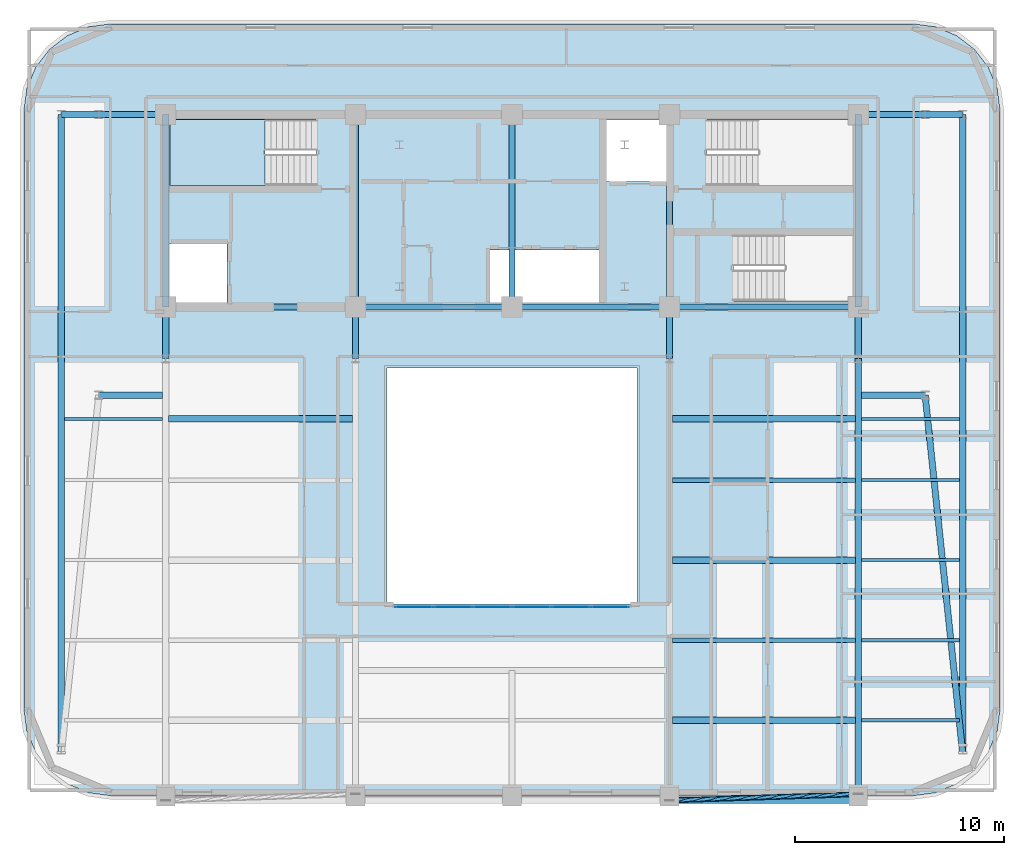
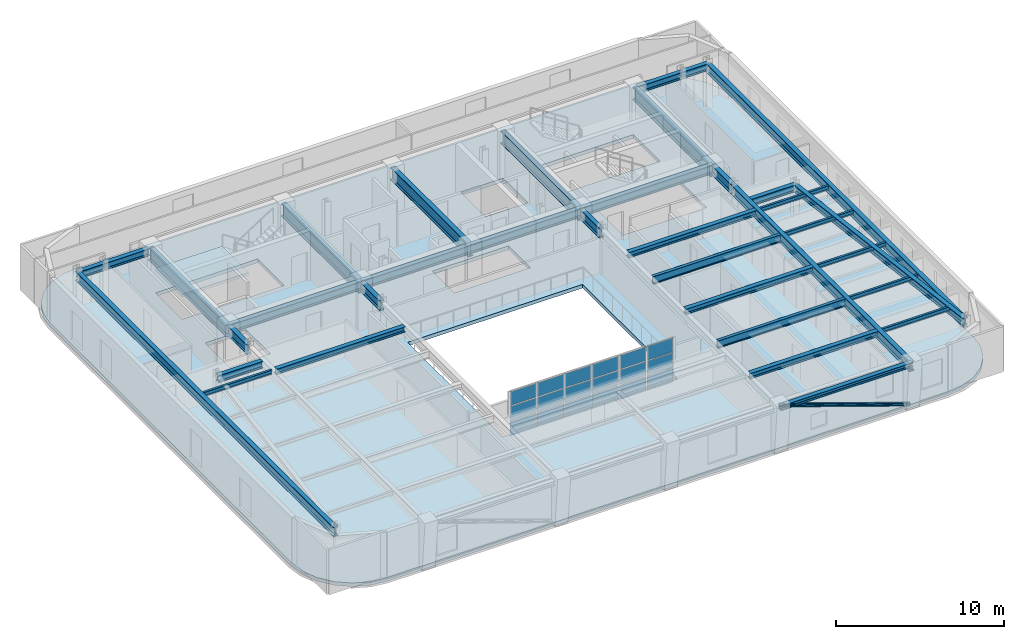
# One storey, part 3 of 13: 36 beams, 18 plates, 2 slabs, 1 member, 2 elements without a shape of their own.
"""IFC4 building model written with IfcOpenShell, lengths in metres."""

from ifc_helpers import new_model, si_unit, direction, frame, origin, origin_2d, place, context, subcontext, project, spatial, polyline, rectangle, hollow_circle, i_section, outline, extrude, material, layer, layer_set, material_profile, profile_set, type_object, element, aggregate, save


model = new_model("IFC4")

# Units and contexts
model_context = context("Model", 3, precision=1e-05, world=origin(), true_north=direction((0.0, 1.0)))
body_context = subcontext(model_context, "Body", "Model", "MODEL_VIEW")
ifc_project = project(units=[si_unit("LENGTHUNIT", "METRE"), si_unit("AREAUNIT", "SQUARE_METRE"), si_unit("VOLUMEUNIT", "CUBIC_METRE"), si_unit("PLANEANGLEUNIT", "RADIAN"), si_unit("MASSUNIT", "GRAM", prefix="KILO")], contexts=[model_context])

# Site, building, storey
site_placement = place(None, origin())
site = spatial("IfcSite", under=ifc_project, at=site_placement, CompositionType="ELEMENT")
building_placement = place(site_placement, origin())
building = spatial("IfcBuilding", under=site, at=building_placement, Name="Zarnavel Station Tower", CompositionType="ELEMENT")
storey_placement = place(building_placement, frame((0.0, 0.0, 240.0)))
storey = spatial("IfcBuildingStorey", under=building, at=storey_placement, Name="L65", CompositionType="ELEMENT", Elevation=240.0)

# Member
ifc_material_1 = material(Name="Steel S355J2", Category="steel")
ifc_material_profile_1 = material_profile(ifc_material_1, hollow_circle(Radius=0.122314453125, WallThickness=0.010009765625, at=origin_2d()), Name="CHS244.5x10")
ifc_profile_set_1 = profile_set([ifc_material_profile_1], Name="Steel S355J2")
member_type = type_object("IfcMemberType", Name="DB_EXT_CHS245", PredefinedType="BRACE", material=ifc_profile_set_1)
member_placement = place(storey_placement, frame((45.39990234375, 4.479248046875, 0.0), z_axis=(-0.939705252684, -0.030877333489, 0.340588649774), x_axis=(0.032840806221, -0.999460595245, 0.0)))
element("IfcMember", 1, at=member_placement, inside=storey, type_object=member_type, Name="L65 Persian Exterior Diagonal Frame Brace 2", PredefinedType="BRACE", context=body_context, shape_type="SweptSolid", body=[
    extrude(hollow_circle(Radius=0.122314453125, WallThickness=0.010009765625, at=origin_2d()), origin(), (0.0, 0.0, 1.0), 9.63037109375),
])

# Beams
ifc_material_2 = material(Name="Steel S355J2", Category="steel")
ifc_material_profile_2 = material_profile(ifc_material_2, i_section(OverallWidth=0.300048828125, OverallDepth=0.320068359375, WebThickness=0.011474609375, FlangeThickness=0.0205078125, FilletRadius=0.027099609375, at=origin_2d()), Name="HEB320")
ifc_profile_set_2 = profile_set([ifc_material_profile_2], Name="Steel S355J2")
beam_type_1 = type_object("IfcBeamType", Name="EB_HEB320", PredefinedType="SPANDREL", material=ifc_profile_set_2)
beam_1_placement = place(storey_placement, frame((36.35009765625, 4.181884765625, 3.1201171875), z_axis=(1.0, 0.0, 0.0), x_axis=(0.0, 1.0, 0.0)))
element("IfcBeam", 2, at=beam_1_placement, inside=storey, type_object=beam_type_1, Name="L65 South Raked Spandrel 4", PredefinedType="SPANDREL", context=body_context, shape_type="SweptSolid", body=[
    extrude(i_section(OverallWidth=0.300048828125, OverallDepth=0.320068359375, WebThickness=0.011474609375, FlangeThickness=0.0205078125, FilletRadius=0.027099609375, at=origin_2d()), origin(), (0.0, 0.0, 1.0), 9.0498046875),
])
ifc_material_3 = material(Name="Steel S355J2", Category="steel")
ifc_material_profile_3 = material_profile(ifc_material_3, i_section(OverallWidth=0.300048828125, OverallDepth=0.389892578125, WebThickness=0.010986328125, FlangeThickness=0.01904296875, FilletRadius=0.027099609375, at=origin_2d()), Name="HEA400")
ifc_profile_set_3 = profile_set([ifc_material_profile_3], Name="Steel S355J2")
beam_type_2 = type_object("IfcBeamType", Name="FB_HEA400", PredefinedType="BEAM", material=ifc_profile_set_3)
for number, where, z_axis, x_axis, name in (
    (3, (36.4951171875, 8.018310546875, 3.0849609375), (1.0, 0.0, 0.0), (0.0, 1.0, 0.0), "L65 East Bay Beam 1"),
    (4, (36.4951171875, 15.69091796875, 3.0849609375), (1.0, 0.0, 0.0), (0.0, 1.0, 0.0), "L65 East Bay Beam 3"),
):
    element("IfcBeam", number, at=place(storey_placement, frame(where, z_axis=z_axis, x_axis=x_axis)), inside=storey, type_object=beam_type_2, Name=name, PredefinedType="BEAM", context=body_context, shape_type="SweptSolid", body=[
        extrude(i_section(OverallWidth=0.300048828125, OverallDepth=0.389892578125, WebThickness=0.010986328125, FlangeThickness=0.01904296875, FilletRadius=0.027099609375, at=origin_2d()), origin(), (0.0, 0.0, 1.0), 8.759765625),
    ])
beam_2_placement = place(storey_placement, frame((12.344970703125, 22.463623046875, 3.0849609375), z_axis=(1.0, 0.0, 0.0), x_axis=(0.0, 1.0, 0.0)))
element("IfcBeam", 5, at=beam_2_placement, inside=storey, type_object=beam_type_2, Name="L65 West Bay Beam 5", PredefinedType="BEAM", context=body_context, shape_type="SweptSolid", body=[
    extrude(i_section(OverallWidth=0.300048828125, OverallDepth=0.389892578125, WebThickness=0.010986328125, FlangeThickness=0.01904296875, FilletRadius=0.027099609375, at=origin_2d()), origin(), (0.0, 0.0, 1.0), 8.81005859375),
])
beam_3_placement = place(storey_placement, frame((36.4951171875, 22.463623046875, 3.0849609375), z_axis=(1.0, 0.0, 0.0), x_axis=(0.0, 1.0, 0.0)))
element("IfcBeam", 6, at=beam_3_placement, inside=storey, type_object=beam_type_2, Name="L65 East Bay Beam 5", PredefinedType="BEAM", context=body_context, shape_type="SweptSolid", body=[
    extrude(i_section(OverallWidth=0.300048828125, OverallDepth=0.389892578125, WebThickness=0.010986328125, FlangeThickness=0.01904296875, FilletRadius=0.027099609375, at=origin_2d()), origin(), (0.0, 0.0, 1.0), 8.759765625),
])
ifc_material_4 = material(Name="Steel S355J2", Category="steel")
ifc_material_profile_4 = material_profile(ifc_material_4, i_section(OverallWidth=0.2099609375, OverallDepth=0.550048828125, WebThickness=0.010986328125, FlangeThickness=0.01708984375, FilletRadius=0.02392578125, at=origin_2d()), Name="IPE550")
ifc_profile_set_4 = profile_set([ifc_material_profile_4], Name="Steel S355J2")
beam_type_3 = type_object("IfcBeamType", Name="FB_IPE550", PredefinedType="BEAM", material=ifc_profile_set_4)
for number, where, z_axis, x_axis, name in (
    (7, (36.4951171875, 11.8544921875, 3.0048828125), (1.0, 0.0, 0.0), (0.0, 1.0, 0.0), "L65 East Bay Beam 2"),
    (8, (36.4951171875, 19.52734375, 3.0048828125), (1.0, 0.0, 0.0), (0.0, 1.0, 0.0), "L65 East Bay Beam 4"),
):
    element("IfcBeam", number, at=place(storey_placement, frame(where, z_axis=z_axis, x_axis=x_axis)), inside=storey, type_object=beam_type_3, Name=name, PredefinedType="BEAM", context=body_context, shape_type="SweptSolid", body=[
        extrude(i_section(OverallWidth=0.2099609375, OverallDepth=0.550048828125, WebThickness=0.010986328125, FlangeThickness=0.01708984375, FilletRadius=0.02392578125, at=origin_2d()), origin(), (0.0, 0.0, 1.0), 8.759765625),
    ])
ifc_material_5 = material(Name="Steel S355J2", Category="steel")
ifc_material_profile_5 = material_profile(ifc_material_5, i_section(OverallWidth=0.300048828125, OverallDepth=0.5, WebThickness=0.014404296875, FlangeThickness=0.028076171875, FilletRadius=0.027099609375, at=origin_2d()), Name="HEB500")
ifc_profile_set_5 = profile_set([ifc_material_profile_5], Name="Steel S355J2")
beam_type_4 = type_object("IfcBeamType", Name="FG_HEB500", PredefinedType="USERDEFINED", material=ifc_profile_set_5)
beam_4_placement = place(storey_placement, frame((7.199951171875, 37.050048828125, 3.030029296875), z_axis=(1.0, 0.0, 0.0), x_axis=(0.0, 1.0, 0.0)))
element("IfcBeam", 9, at=beam_4_placement, inside=storey, type_object=beam_type_4, Name="L65 West Wing North Tie 1", ObjectType="GIRDER", PredefinedType="USERDEFINED", context=body_context, shape_type="SweptSolid", body=[
    extrude(i_section(OverallWidth=0.300048828125, OverallDepth=0.5, WebThickness=0.014404296875, FlangeThickness=0.028076171875, FilletRadius=0.027099609375, at=origin_2d()), origin(), (0.0, 0.0, 1.0), 1.800048828125),
])
for number, where, z_axis, x_axis, name in (
    (10, (9.0, 23.60009765625, 3.030029296875), (1.0, 0.0, 0.0), (0.0, 1.0, 0.0), "L65 West Wing South Tie 2"),
    (11, (9.0, 37.050048828125, 3.030029296875), (1.0, 0.0, 0.0), (0.0, 1.0, 0.0), "L65 West Wing North Tie 2"),
):
    element("IfcBeam", number, at=place(storey_placement, frame(where, z_axis=z_axis, x_axis=x_axis)), inside=storey, type_object=beam_type_4, Name=name, ObjectType="GIRDER", PredefinedType="USERDEFINED", context=body_context, shape_type="SweptSolid", body=[
        extrude(i_section(OverallWidth=0.300048828125, OverallDepth=0.5, WebThickness=0.014404296875, FlangeThickness=0.028076171875, FilletRadius=0.027099609375, at=origin_2d()), origin(), (0.0, 0.0, 1.0), 3.054931640625),
    ])
for number, where, z_axis, x_axis, name in (
    (12, (45.544921875, 23.60009765625, 3.030029296875), (1.0, 0.0, 0.0), (0.0, 1.0, 0.0), "L65 East Wing South Tie 1"),
    (13, (45.544921875, 37.050048828125, 3.030029296875), (1.0, 0.0, 0.0), (0.0, 1.0, 0.0), "L65 East Wing North Tie 1"),
):
    element("IfcBeam", number, at=place(storey_placement, frame(where, z_axis=z_axis, x_axis=x_axis)), inside=storey, type_object=beam_type_4, Name=name, ObjectType="GIRDER", PredefinedType="USERDEFINED", context=body_context, shape_type="SweptSolid", body=[
        extrude(i_section(OverallWidth=0.300048828125, OverallDepth=0.5, WebThickness=0.014404296875, FlangeThickness=0.028076171875, FilletRadius=0.027099609375, at=origin_2d()), origin(), (0.0, 0.0, 1.0), 3.05517578125),
    ])
beam_5_placement = place(storey_placement, frame((48.60009765625, 23.60009765625, 3.030029296875), z_axis=(0.104224073736, -0.994553840902, 0.0), x_axis=(0.994553840902, 0.104224073736, 0.0)))
element("IfcBeam", 14, at=beam_5_placement, inside=storey, type_object=beam_type_4, Name="L65 East Wing South Tie 2", ObjectType="GIRDER", PredefinedType="USERDEFINED", context=body_context, shape_type="SweptSolid", body=[
    extrude(i_section(OverallWidth=0.300048828125, OverallDepth=0.5, WebThickness=0.014404296875, FlangeThickness=0.028076171875, FilletRadius=0.027099609375, at=origin_2d()), origin(), (0.0, 0.0, 1.0), 17.2685546875),
])
beam_6_placement = place(storey_placement, frame((48.60009765625, 37.050048828125, 3.030029296875), z_axis=(1.0, 0.0, 0.0), x_axis=(0.0, 1.0, 0.0)))
element("IfcBeam", 15, at=beam_6_placement, inside=storey, type_object=beam_type_4, Name="L65 East Wing North Tie 2", ObjectType="GIRDER", PredefinedType="USERDEFINED", context=body_context, shape_type="SweptSolid", body=[
    extrude(i_section(OverallWidth=0.300048828125, OverallDepth=0.5, WebThickness=0.014404296875, FlangeThickness=0.028076171875, FilletRadius=0.027099609375, at=origin_2d()), origin(), (0.0, 0.0, 1.0), 1.7998046875),
])
ifc_material_6 = material(Name="Steel S355J2", Category="steel")
ifc_material_profile_6 = material_profile(ifc_material_6, i_section(OverallWidth=0.300048828125, OverallDepth=0.60009765625, WebThickness=0.015380859375, FlangeThickness=0.030029296875, FilletRadius=0.027099609375, at=origin_2d()), Name="HEB600")
ifc_profile_set_6 = profile_set([ifc_material_profile_6], Name="Steel S355J2")
beam_type_5 = type_object("IfcBeamType", Name="FG_HEB600", PredefinedType="USERDEFINED", material=ifc_profile_set_6)
beam_7_placement = place(storey_placement, frame((12.199951171875, 27.820068359375, 2.97998046875), z_axis=(1.0, 0.0, 0.0), x_axis=(0.0, 1.0, 0.0)))
element("IfcBeam", 16, at=beam_7_placement, inside=storey, type_object=beam_type_5, Name="L65 Core Front Coupling Beam 1", ObjectType="GIRDER", PredefinedType="USERDEFINED", context=body_context, shape_type="SweptSolid", body=[
    extrude(i_section(OverallWidth=0.300048828125, OverallDepth=0.60009765625, WebThickness=0.015380859375, FlangeThickness=0.030029296875, FilletRadius=0.027099609375, at=origin_2d()), origin(), (0.0, 0.0, 1.0), 9.10009765625),
])
beam_8_placement = place(storey_placement, frame((21.300048828125, 27.820068359375, 2.97998046875), z_axis=(1.0, 0.0, 0.0), x_axis=(0.0, 1.0, 0.0)))
element("IfcBeam", 17, at=beam_8_placement, inside=storey, type_object=beam_type_5, Name="L65 Core Front Coupling Beam 2", ObjectType="GIRDER", PredefinedType="USERDEFINED", context=body_context, shape_type="SweptSolid", body=[
    extrude(i_section(OverallWidth=0.300048828125, OverallDepth=0.60009765625, WebThickness=0.015380859375, FlangeThickness=0.030029296875, FilletRadius=0.027099609375, at=origin_2d()), origin(), (0.0, 0.0, 1.0), 7.5),
])
beam_9_placement = place(storey_placement, frame((28.800048828125, 27.820068359375, 2.97998046875), z_axis=(1.0, 0.0, 0.0), x_axis=(0.0, 1.0, 0.0)))
element("IfcBeam", 18, at=beam_9_placement, inside=storey, type_object=beam_type_5, Name="L65 Core Front Coupling Beam 3", ObjectType="GIRDER", PredefinedType="USERDEFINED", context=body_context, shape_type="SweptSolid", body=[
    extrude(i_section(OverallWidth=0.300048828125, OverallDepth=0.60009765625, WebThickness=0.015380859375, FlangeThickness=0.030029296875, FilletRadius=0.027099609375, at=origin_2d()), origin(), (0.0, 0.0, 1.0), 7.550048828125),
])
beam_10_placement = place(storey_placement, frame((36.35009765625, 27.820068359375, 2.97998046875), z_axis=(1.0, 0.0, 0.0), x_axis=(0.0, 1.0, 0.0)))
element("IfcBeam", 19, at=beam_10_placement, inside=storey, type_object=beam_type_5, Name="L65 Core Front Coupling Beam 4", ObjectType="GIRDER", PredefinedType="USERDEFINED", context=body_context, shape_type="SweptSolid", body=[
    extrude(i_section(OverallWidth=0.300048828125, OverallDepth=0.60009765625, WebThickness=0.015380859375, FlangeThickness=0.030029296875, FilletRadius=0.027099609375, at=origin_2d()), origin(), (0.0, 0.0, 1.0), 9.0498046875),
])
ifc_material_7 = material(Name="Steel S355J2", Category="steel")
ifc_material_profile_7 = material_profile(ifc_material_7, i_section(OverallWidth=0.300048828125, OverallDepth=0.64990234375, WebThickness=0.01611328125, FlangeThickness=0.031005859375, FilletRadius=0.027099609375, at=origin_2d()), Name="HEB650")
ifc_profile_set_7 = profile_set([ifc_material_profile_7], Name="Steel S355J2")
beam_type_6 = type_object("IfcBeamType", Name="FG_HEB650", PredefinedType="USERDEFINED", material=ifc_profile_set_7)
for number, where, z_axis, x_axis, name in (
    (20, (7.199951171875, 6.425537109375, 2.955078125), (0.0, 1.0, 0.0), (-1.0, 0.0, 0.0), "L65 Wing NS Girder 1"),
    (21, (50.39990234375, 6.425537109375, 2.955078125), (0.0, 1.0, 0.0), (-1.0, 0.0, 0.0), "L65 Wing NS Girder 2"),
):
    element("IfcBeam", number, at=place(storey_placement, frame(where, z_axis=z_axis, x_axis=x_axis)), inside=storey, type_object=beam_type_6, Name=name, ObjectType="GIRDER", PredefinedType="USERDEFINED", context=body_context, shape_type="SweptSolid", body=[
        extrude(i_section(OverallWidth=0.300048828125, OverallDepth=0.64990234375, WebThickness=0.01611328125, FlangeThickness=0.031005859375, FilletRadius=0.027099609375, at=origin_2d()), origin(), (0.0, 0.0, 1.0), 30.62451171875),
    ])
ifc_material_8 = material(Name="Steel S355J2", Category="steel")
ifc_material_profile_8 = material_profile(ifc_material_8, i_section(OverallWidth=0.300048828125, OverallDepth=0.699951171875, WebThickness=0.01708984375, FlangeThickness=0.031982421875, FilletRadius=0.027099609375, at=origin_2d()), Name="HEB700")
ifc_profile_set_8 = profile_set([ifc_material_profile_8], Name="Steel S355J2")
beam_type_7 = type_object("IfcBeamType", Name="FG_HEB700", PredefinedType="USERDEFINED", material=ifc_profile_set_8)
for number, where, z_axis, x_axis, name in (
    (22, (12.199951171875, 25.35009765625, 2.929931640625), (0.0, 1.0, 0.0), (-1.0, 0.0, 0.0), "L65 Inner-Zone NS Girder 1"),
    (23, (21.300048828125, 25.35009765625, 2.929931640625), (0.0, 1.0, 0.0), (-1.0, 0.0, 0.0), "L65 Inner-Zone NS Girder 2"),
    (24, (36.35009765625, 25.35009765625, 2.929931640625), (0.0, 1.0, 0.0), (-1.0, 0.0, 0.0), "L65 Inner-Zone NS Girder 4"),
):
    element("IfcBeam", number, at=place(storey_placement, frame(where, z_axis=z_axis, x_axis=x_axis)), inside=storey, type_object=beam_type_7, Name=name, ObjectType="GIRDER", PredefinedType="USERDEFINED", context=body_context, shape_type="SweptSolid", body=[
        extrude(i_section(OverallWidth=0.300048828125, OverallDepth=0.699951171875, WebThickness=0.01708984375, FlangeThickness=0.031982421875, FilletRadius=0.027099609375, at=origin_2d()), origin(), (0.0, 0.0, 1.0), 2.469970703125),
    ])
beam_11_placement = place(storey_placement, frame((45.39990234375, 4.181884765625, 2.929931640625), z_axis=(0.0, 1.0, 0.0), x_axis=(-1.0, 0.0, 0.0)))
element("IfcBeam", 25, at=beam_11_placement, inside=storey, type_object=beam_type_7, Name="L65 South-Zone NS Girder 5", ObjectType="GIRDER", PredefinedType="USERDEFINED", context=body_context, shape_type="SweptSolid", body=[
    extrude(i_section(OverallWidth=0.300048828125, OverallDepth=0.699951171875, WebThickness=0.01708984375, FlangeThickness=0.031982421875, FilletRadius=0.027099609375, at=origin_2d()), origin(), (0.0, 0.0, 1.0), 21.168212890625),
])
beam_12_placement = place(storey_placement, frame((45.39990234375, 25.35009765625, 2.929931640625), z_axis=(0.0, 1.0, 0.0), x_axis=(-1.0, 0.0, 0.0)))
element("IfcBeam", 26, at=beam_12_placement, inside=storey, type_object=beam_type_7, Name="L65 Inner-Zone NS Girder 5", ObjectType="GIRDER", PredefinedType="USERDEFINED", context=body_context, shape_type="SweptSolid", body=[
    extrude(i_section(OverallWidth=0.300048828125, OverallDepth=0.699951171875, WebThickness=0.01708984375, FlangeThickness=0.031982421875, FilletRadius=0.027099609375, at=origin_2d()), origin(), (0.0, 0.0, 1.0), 2.469970703125),
])
ifc_material_9 = material(Name="Steel S355J2", Category="steel")
ifc_material_profile_9 = material_profile(ifc_material_9, i_section(OverallWidth=0.14990234375, OverallDepth=0.300048828125, WebThickness=0.007080078125, FlangeThickness=0.0107421875, FilletRadius=0.014892578125, at=origin_2d()), Name="IPE300")
ifc_profile_set_9 = profile_set([ifc_material_profile_9], Name="Steel S355J2")
beam_type_8 = type_object("IfcBeamType", Name="FJ_IPE300", PredefinedType="JOIST", material=ifc_profile_set_9)
for number, where, z_axis, x_axis, name in (
    (27, (45.544921875, 8.018310546875, 3.1298828125), (1.0, 0.0, 0.0), (0.0, 1.0, 0.0), "L65 East Wing Joist 1"),
    (28, (45.544921875, 11.8544921875, 3.1298828125), (1.0, 0.0, 0.0), (0.0, 1.0, 0.0), "L65 East Wing Joist 2"),
    (29, (45.544921875, 15.69091796875, 3.1298828125), (1.0, 0.0, 0.0), (0.0, 1.0, 0.0), "L65 East Wing Joist 3"),
    (30, (45.544921875, 19.52734375, 3.1298828125), (1.0, 0.0, 0.0), (0.0, 1.0, 0.0), "L65 East Wing Joist 4"),
    (31, (7.344970703125, 22.463623046875, 3.1298828125), (1.0, 0.0, 0.0), (0.0, 1.0, 0.0), "L65 West Wing Joist 5"),
    (32, (45.544921875, 22.463623046875, 3.1298828125), (1.0, 0.0, 0.0), (0.0, 1.0, 0.0), "L65 East Wing Joist 5"),
):
    element("IfcBeam", number, at=place(storey_placement, frame(where, z_axis=z_axis, x_axis=x_axis)), inside=storey, type_object=beam_type_8, Name=name, PredefinedType="JOIST", context=body_context, shape_type="SweptSolid", body=[
        extrude(i_section(OverallWidth=0.14990234375, OverallDepth=0.300048828125, WebThickness=0.007080078125, FlangeThickness=0.0107421875, FilletRadius=0.014892578125, at=origin_2d()), origin(), (0.0, 0.0, 1.0), 4.7099609375),
    ])
ifc_material_10 = material(Name="Steel S460M", Category="steel")
ifc_material_profile_10 = material_profile(ifc_material_10, i_section(OverallWidth=0.302001953125, OverallDepth=0.909912109375, WebThickness=0.02099609375, FlangeThickness=0.0400390625, FilletRadius=0.030029296875, at=origin_2d()), Name="HEM900")
ifc_profile_set_10 = profile_set([ifc_material_profile_10], Name="Steel S460M")
beam_type_9 = type_object("IfcBeamType", Name="TG_HEM900", PredefinedType="USERDEFINED", material=ifc_profile_set_10)
for number, where, z_axis, x_axis, name in (
    (33, (12.199951171875, 27.820068359375, 2.824951171875), (0.0, 1.0, 0.0), (-1.0, 0.0, 0.0), "L65 Core Spine Coupling Girder 1"),
    (34, (21.300048828125, 27.820068359375, 2.824951171875), (0.0, 1.0, 0.0), (-1.0, 0.0, 0.0), "L65 Core Spine Coupling Girder 2"),
    (35, (28.800048828125, 27.820068359375, 2.824951171875), (0.0, 1.0, 0.0), (-1.0, 0.0, 0.0), "L65 Core Spine Coupling Girder 3"),
    (36, (36.35009765625, 27.820068359375, 2.824951171875), (0.0, 1.0, 0.0), (-1.0, 0.0, 0.0), "L65 Core Spine Coupling Girder 4"),
    (37, (45.39990234375, 27.820068359375, 2.824951171875), (0.0, 1.0, 0.0), (-1.0, 0.0, 0.0), "L65 Core Spine Coupling Girder 5"),
):
    element("IfcBeam", number, at=place(storey_placement, frame(where, z_axis=z_axis, x_axis=x_axis)), inside=storey, type_object=beam_type_9, Name=name, ObjectType="GIRDER", PredefinedType="USERDEFINED", context=body_context, shape_type="SweptSolid", body=[
        extrude(i_section(OverallWidth=0.302001953125, OverallDepth=0.909912109375, WebThickness=0.02099609375, FlangeThickness=0.0400390625, FilletRadius=0.030029296875, at=origin_2d()), origin(), (0.0, 0.0, 1.0), 9.22998046875),
    ])

# Curtain wall, plates
ifc_material_11 = material(Name="Aluminium Dark Anodised and Solar-Control Glass", Category="aluminium")
ifc_layer_1 = layer(ifc_material_11, 0.179931640625)
ifc_layer_set_1 = layer_set([ifc_layer_1], Name="CWS5")
curtain_wall_type = type_object("IfcCurtainWallType", Name="CWS5", PredefinedType="NOTDEFINED", material=ifc_layer_set_1)
curtain_wall_placement = place(storey_placement, origin())
curtain_wall = element("IfcCurtainWall", 38, at=curtain_wall_placement, inside=storey, type_object=curtain_wall_type, Name="L65 Curtain Wall CWS5-L65-AS", PredefinedType="NOTDEFINED")
ifc_material_12 = material(Name="Double Low-E Dark Solar-Control Glass", Category="glass")
ifc_layer_2 = layer(ifc_material_12, 0.033935546875)
ifc_layer_set_2 = layer_set([ifc_layer_2], Name="CWS5_PNL")
plate_type = type_object("IfcPlateType", Name="CWS5_PNL", PredefinedType="CURTAIN_PANEL", material=ifc_layer_set_2)
plate_1_placement = place(storey_placement, frame((24.106689453125, 13.449951171875, 0.06005859375), z_axis=(0.0, 0.0, 1.0), x_axis=(1.0, 0.0, 0.0)))
plate_1 = element("IfcPlate", 39, at=plate_1_placement, type_object=plate_type, Name="CW5 panel 1.1", PredefinedType="CURTAIN_PANEL", context=body_context, shape_type="SweptSolid", body=[
    extrude(rectangle(XDim=1.793212890625, YDim=0.028076171875, at=origin_2d()), origin(), (0.0, 0.0, 1.0), 1.00341796875),
])
plate_2_placement = place(storey_placement, frame((24.106689453125, 13.449951171875, 1.123046875), z_axis=(0.0, 0.0, 1.0), x_axis=(1.0, 0.0, 0.0)))
plate_2 = element("IfcPlate", 40, at=plate_2_placement, type_object=plate_type, Name="CW5 panel 1.2", PredefinedType="CURTAIN_PANEL", context=body_context, shape_type="SweptSolid", body=[
    extrude(rectangle(XDim=1.793212890625, YDim=0.028076171875, at=origin_2d()), origin(), (0.0, 0.0, 1.0), 1.033447265625),
])
plate_3_placement = place(storey_placement, frame((24.106689453125, 13.449951171875, 2.216552734375), z_axis=(0.0, 0.0, 1.0), x_axis=(1.0, 0.0, 0.0)))
plate_3 = element("IfcPlate", 41, at=plate_3_placement, type_object=plate_type, Name="CW5 panel 1.3", PredefinedType="CURTAIN_PANEL", context=body_context, shape_type="SweptSolid", body=[
    extrude(rectangle(XDim=1.793212890625, YDim=0.028076171875, at=origin_2d()), origin(), (0.0, 0.0, 1.0), 1.00341796875),
])
plate_4_placement = place(storey_placement, frame((25.97509765625, 13.449951171875, 0.06005859375), z_axis=(0.0, 0.0, 1.0), x_axis=(1.0, 0.0, 0.0)))
plate_4 = element("IfcPlate", 42, at=plate_4_placement, type_object=plate_type, Name="CW5 panel 2.1", PredefinedType="CURTAIN_PANEL", context=body_context, shape_type="SweptSolid", body=[
    extrude(rectangle(XDim=1.8232421875, YDim=0.028076171875, at=origin_2d()), origin(), (0.0, 0.0, 1.0), 1.00341796875),
])
plate_5_placement = place(storey_placement, frame((25.97509765625, 13.449951171875, 1.123046875), z_axis=(0.0, 0.0, 1.0), x_axis=(1.0, 0.0, 0.0)))
plate_5 = element("IfcPlate", 43, at=plate_5_placement, type_object=plate_type, Name="CW5 panel 2.2", PredefinedType="CURTAIN_PANEL", context=body_context, shape_type="SweptSolid", body=[
    extrude(rectangle(XDim=1.8232421875, YDim=0.028076171875, at=origin_2d()), origin(), (0.0, 0.0, 1.0), 1.033447265625),
])
plate_6_placement = place(storey_placement, frame((25.97509765625, 13.449951171875, 2.216552734375), z_axis=(0.0, 0.0, 1.0), x_axis=(1.0, 0.0, 0.0)))
plate_6 = element("IfcPlate", 44, at=plate_6_placement, type_object=plate_type, Name="CW5 panel 2.3", PredefinedType="CURTAIN_PANEL", context=body_context, shape_type="SweptSolid", body=[
    extrude(rectangle(XDim=1.8232421875, YDim=0.028076171875, at=origin_2d()), origin(), (0.0, 0.0, 1.0), 1.00341796875),
])
plate_7_placement = place(storey_placement, frame((27.8583984375, 13.449951171875, 0.06005859375), z_axis=(0.0, 0.0, 1.0), x_axis=(1.0, 0.0, 0.0)))
plate_7 = element("IfcPlate", 45, at=plate_7_placement, type_object=plate_type, Name="CW5 panel 3.1", PredefinedType="CURTAIN_PANEL", context=body_context, shape_type="SweptSolid", body=[
    extrude(rectangle(XDim=1.8232421875, YDim=0.028076171875, at=origin_2d()), origin(), (0.0, 0.0, 1.0), 1.00341796875),
])
plate_8_placement = place(storey_placement, frame((27.8583984375, 13.449951171875, 1.123046875), z_axis=(0.0, 0.0, 1.0), x_axis=(1.0, 0.0, 0.0)))
plate_8 = element("IfcPlate", 46, at=plate_8_placement, type_object=plate_type, Name="CW5 panel 3.2", PredefinedType="CURTAIN_PANEL", context=body_context, shape_type="SweptSolid", body=[
    extrude(rectangle(XDim=1.8232421875, YDim=0.028076171875, at=origin_2d()), origin(), (0.0, 0.0, 1.0), 1.033447265625),
])
plate_9_placement = place(storey_placement, frame((27.8583984375, 13.449951171875, 2.216552734375), z_axis=(0.0, 0.0, 1.0), x_axis=(1.0, 0.0, 0.0)))
plate_9 = element("IfcPlate", 47, at=plate_9_placement, type_object=plate_type, Name="CW5 panel 3.3", PredefinedType="CURTAIN_PANEL", context=body_context, shape_type="SweptSolid", body=[
    extrude(rectangle(XDim=1.8232421875, YDim=0.028076171875, at=origin_2d()), origin(), (0.0, 0.0, 1.0), 1.00341796875),
])
plate_10_placement = place(storey_placement, frame((29.74169921875, 13.449951171875, 0.06005859375), z_axis=(0.0, 0.0, 1.0), x_axis=(1.0, 0.0, 0.0)))
plate_10 = element("IfcPlate", 48, at=plate_10_placement, type_object=plate_type, Name="CW5 panel 4.1", PredefinedType="CURTAIN_PANEL", context=body_context, shape_type="SweptSolid", body=[
    extrude(rectangle(XDim=1.8232421875, YDim=0.028076171875, at=origin_2d()), origin(), (0.0, 0.0, 1.0), 1.00341796875),
])
plate_11_placement = place(storey_placement, frame((29.74169921875, 13.449951171875, 1.123046875), z_axis=(0.0, 0.0, 1.0), x_axis=(1.0, 0.0, 0.0)))
plate_11 = element("IfcPlate", 49, at=plate_11_placement, type_object=plate_type, Name="CW5 panel 4.2", PredefinedType="CURTAIN_PANEL", context=body_context, shape_type="SweptSolid", body=[
    extrude(rectangle(XDim=1.8232421875, YDim=0.028076171875, at=origin_2d()), origin(), (0.0, 0.0, 1.0), 1.033447265625),
])
plate_12_placement = place(storey_placement, frame((29.74169921875, 13.449951171875, 2.216552734375), z_axis=(0.0, 0.0, 1.0), x_axis=(1.0, 0.0, 0.0)))
plate_12 = element("IfcPlate", 50, at=plate_12_placement, type_object=plate_type, Name="CW5 panel 4.3", PredefinedType="CURTAIN_PANEL", context=body_context, shape_type="SweptSolid", body=[
    extrude(rectangle(XDim=1.8232421875, YDim=0.028076171875, at=origin_2d()), origin(), (0.0, 0.0, 1.0), 1.00341796875),
])
plate_13_placement = place(storey_placement, frame((31.625, 13.449951171875, 0.06005859375), z_axis=(0.0, 0.0, 1.0), x_axis=(1.0, 0.0, 0.0)))
plate_13 = element("IfcPlate", 51, at=plate_13_placement, type_object=plate_type, Name="CW5 panel 5.1", PredefinedType="CURTAIN_PANEL", context=body_context, shape_type="SweptSolid", body=[
    extrude(rectangle(XDim=1.8232421875, YDim=0.028076171875, at=origin_2d()), origin(), (0.0, 0.0, 1.0), 1.00341796875),
])
plate_14_placement = place(storey_placement, frame((31.625, 13.449951171875, 1.123046875), z_axis=(0.0, 0.0, 1.0), x_axis=(1.0, 0.0, 0.0)))
plate_14 = element("IfcPlate", 52, at=plate_14_placement, type_object=plate_type, Name="CW5 panel 5.2", PredefinedType="CURTAIN_PANEL", context=body_context, shape_type="SweptSolid", body=[
    extrude(rectangle(XDim=1.8232421875, YDim=0.028076171875, at=origin_2d()), origin(), (0.0, 0.0, 1.0), 1.033447265625),
])
plate_15_placement = place(storey_placement, frame((31.625, 13.449951171875, 2.216552734375), z_axis=(0.0, 0.0, 1.0), x_axis=(1.0, 0.0, 0.0)))
plate_15 = element("IfcPlate", 53, at=plate_15_placement, type_object=plate_type, Name="CW5 panel 5.3", PredefinedType="CURTAIN_PANEL", context=body_context, shape_type="SweptSolid", body=[
    extrude(rectangle(XDim=1.8232421875, YDim=0.028076171875, at=origin_2d()), origin(), (0.0, 0.0, 1.0), 1.00341796875),
])
plate_16_placement = place(storey_placement, frame((33.493408203125, 13.449951171875, 0.06005859375), z_axis=(0.0, 0.0, 1.0), x_axis=(1.0, 0.0, 0.0)))
plate_16 = element("IfcPlate", 54, at=plate_16_placement, type_object=plate_type, Name="CW5 panel 6.1", PredefinedType="CURTAIN_PANEL", context=body_context, shape_type="SweptSolid", body=[
    extrude(rectangle(XDim=1.793212890625, YDim=0.028076171875, at=origin_2d()), origin(), (0.0, 0.0, 1.0), 1.00341796875),
])
plate_17_placement = place(storey_placement, frame((33.493408203125, 13.449951171875, 1.123046875), z_axis=(0.0, 0.0, 1.0), x_axis=(1.0, 0.0, 0.0)))
plate_17 = element("IfcPlate", 55, at=plate_17_placement, type_object=plate_type, Name="CW5 panel 6.2", PredefinedType="CURTAIN_PANEL", context=body_context, shape_type="SweptSolid", body=[
    extrude(rectangle(XDim=1.793212890625, YDim=0.028076171875, at=origin_2d()), origin(), (0.0, 0.0, 1.0), 1.033447265625),
])
plate_18_placement = place(storey_placement, frame((33.493408203125, 13.449951171875, 2.216552734375), z_axis=(0.0, 0.0, 1.0), x_axis=(1.0, 0.0, 0.0)))
plate_18 = element("IfcPlate", 56, at=plate_18_placement, type_object=plate_type, Name="CW5 panel 6.3", PredefinedType="CURTAIN_PANEL", context=body_context, shape_type="SweptSolid", body=[
    extrude(rectangle(XDim=1.793212890625, YDim=0.028076171875, at=origin_2d()), origin(), (0.0, 0.0, 1.0), 1.00341796875),
])
aggregate(curtain_wall, [plate_1, plate_2, plate_3, plate_4, plate_5, plate_6, plate_7, plate_8, plate_9, plate_10, plate_11, plate_12, plate_13, plate_14, plate_15, plate_16, plate_17, plate_18])

# Slab
ifc_material_13 = material(Name="Concrete C45/55", Category="concrete")
ifc_layer_3 = layer(ifc_material_13, 0.260009765625)
ifc_layer_set_3 = layer_set([ifc_layer_3], Name="SL_FLR_260")
slab_type_1 = type_object("IfcSlabType", Name="SL_FLR_260", PredefinedType="FLOOR", material=ifc_layer_set_3)
slab_1_placement = place(storey_placement, frame((0.0, 0.0, -0.260009765625)))
element("IfcSlab", 57, at=slab_1_placement, inside=storey, type_object=slab_type_1, Name="L65 Structural Floor Slab", PredefinedType="FLOOR", context=body_context, shape_type="SweptSolid", body=[
    extrude(outline(polyline([(48.0, 4.39990234375), (49.0869140625, 4.543212890625), (50.10009765625, 4.962646484375), (50.9697265625, 5.630126953125), (51.63720703125, 6.5), (52.056884765625, 7.512939453125), (52.199951171875, 8.60009765625), (52.199951171875, 37.199951171875), (52.056884765625, 38.287109375), (51.63720703125, 39.300048828125), (50.9697265625, 40.169921875), (50.10009765625, 40.83740234375), (49.0869140625, 41.2568359375), (48.0, 41.39990234375), (9.60009765625, 41.39990234375), (8.512939453125, 41.2568359375), (7.5, 40.83740234375), (6.630126953125, 40.169921875), (5.962646484375, 39.300048828125), (5.543212890625, 38.287109375), (5.39990234375, 37.199951171875), (5.39990234375, 8.60009765625), (5.543212890625, 7.512939453125), (5.962646484375, 6.5), (6.630126953125, 5.630126953125), (7.5, 4.962646484375), (8.512939453125, 4.543212890625), (9.60009765625, 4.39990234375), (48.0, 4.39990234375)]), holes=[polyline([(12.39990234375, 33.659912109375), (19.409912109375, 33.659912109375), (19.409912109375, 36.820068359375), (12.39990234375, 36.820068359375), (12.39990234375, 33.659912109375)]), polyline([(38.14990234375, 33.659912109375), (45.159912109375, 33.659912109375), (45.159912109375, 36.820068359375), (38.14990234375, 36.820068359375), (38.14990234375, 33.659912109375)]), polyline([(39.419921875, 28.1201171875), (45.14990234375, 28.1201171875), (45.14990234375, 31.280029296875), (39.419921875, 31.280029296875), (39.419921875, 28.1201171875)]), polyline([(12.35009765625, 27.949951171875), (15.14990234375, 27.949951171875), (15.14990234375, 30.85009765625), (12.35009765625, 30.85009765625), (12.35009765625, 27.949951171875)]), polyline([(33.320068359375, 33.85009765625), (36.2099609375, 33.85009765625), (36.2099609375, 36.780029296875), (33.320068359375, 36.780029296875), (33.320068359375, 33.85009765625)]), polyline([(27.75, 27.949951171875), (32.97998046875, 27.949951171875), (32.97998046875, 30.550048828125), (27.75, 30.550048828125), (27.75, 27.949951171875)]), polyline([(22.800048828125, 13.60009765625), (34.800048828125, 13.60009765625), (34.800048828125, 24.89990234375), (22.800048828125, 24.89990234375), (22.800048828125, 13.60009765625)])]), origin(), (0.0, 0.0, 1.0), 0.260009765625),
])

# Stair, slab
ifc_material_14 = material(Name="Concrete C45/55", Category="concrete")
stair_type = type_object("IfcStairType", Name="ST_CORE_150", PredefinedType="HALF_TURN_STAIR", material=ifc_material_14)
stair_placement = place(storey_placement, origin())
stair = element("IfcStair", 58, at=stair_placement, inside=storey, type_object=stair_type, Name="L65 Core Exit Stair ST1", PredefinedType="HALF_TURN_STAIR")
ifc_material_15 = material(Name="Concrete C45/55", Category="concrete")
ifc_layer_4 = layer(ifc_material_15, 0.199951171875)
ifc_layer_set_4 = layer_set([ifc_layer_4], Name="SL_STAIR_LAND_200")
slab_type_2 = type_object("IfcSlabType", Name="SL_STAIR_LAND_200", PredefinedType="LANDING", material=ifc_layer_set_4)
slab_2_placement = place(storey_placement, frame((0.0, 0.0, 1.60009765625)))
slab_2 = element("IfcSlab", 59, at=slab_2_placement, type_object=slab_type_2, Name="ST1 landing 1", PredefinedType="LANDING", context=body_context, shape_type="SweptSolid", body=[
    extrude(outline(polyline([(16.9599609375, 36.820068359375), (12.39990234375, 36.820068359375), (12.39990234375, 33.659912109375), (16.9599609375, 33.659912109375), (16.9599609375, 36.820068359375)])), origin(), (0.0, 0.0, 1.0), 0.199951171875),
])
aggregate(stair, [slab_2])

save(model, "model.ifc")
